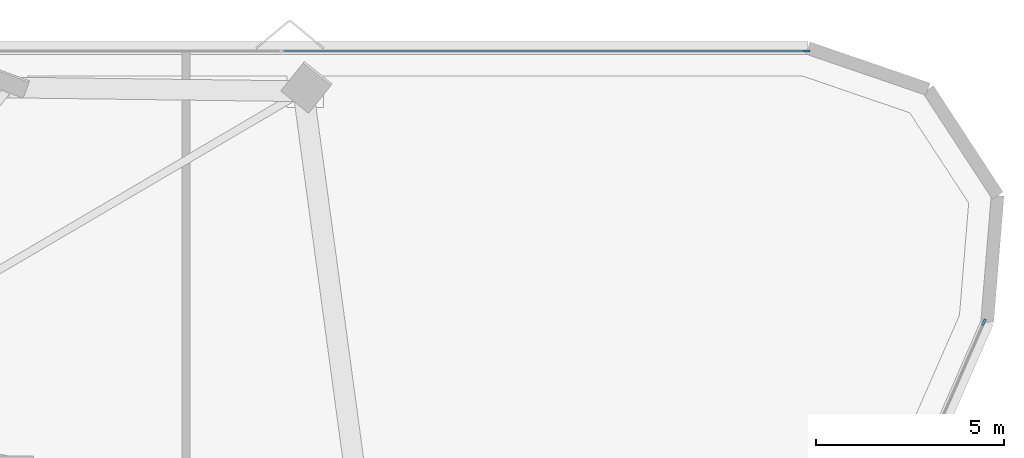
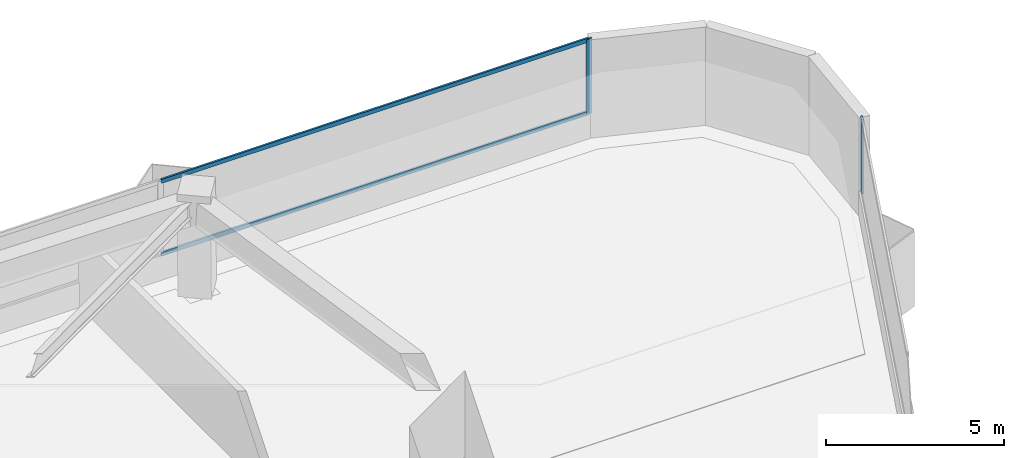
# One storey, part 14 of 21: 4 members, 2 elements without a shape of their own.
"""IFC4 building model written with IfcOpenShell, lengths in metres."""

from ifc_helpers import new_model, si_unit, direction, frame, origin, origin_2d, place, context, subcontext, project, spatial, rectangle, extrude, material, layer, layer_set, material_profile, profile_set, type_object, element, aggregate, save


model = new_model("IFC4")

# Units and contexts
model_context = context("Model", 3, precision=1e-05, world=origin(), true_north=direction((0.0, 1.0)))
body_context = subcontext(model_context, "Body", "Model", "MODEL_VIEW")
ifc_project = project(units=[si_unit("LENGTHUNIT", "METRE"), si_unit("AREAUNIT", "SQUARE_METRE"), si_unit("VOLUMEUNIT", "CUBIC_METRE"), si_unit("PLANEANGLEUNIT", "RADIAN"), si_unit("MASSUNIT", "GRAM", prefix="KILO")], contexts=[model_context])

# Site, building, storey
site_placement = place(None, origin())
site = spatial("IfcSite", under=ifc_project, at=site_placement, CompositionType="ELEMENT")
building_placement = place(site_placement, origin())
building = spatial("IfcBuilding", under=site, at=building_placement, Name="Talyreon Biosciences Tower", CompositionType="ELEMENT")
storey_placement = place(building_placement, frame((0.0, 0.0, 55.64990234375)))
storey = spatial("IfcBuildingStorey", under=building, at=storey_placement, Name="L14", CompositionType="ELEMENT", Elevation=55.64990234375)

# Curtain wall, member
ifc_material_1 = material(Name="Thermally broken aluminium and low-E glazing", Category="aluminium")
ifc_layer = layer(ifc_material_1, 0.195068359375)
ifc_layer_set = layer_set([ifc_layer], Name="Thermally broken aluminium and low-E glazing")
curtain_wall_type = type_object("IfcCurtainWallType", Name="CurtainWall_Zone1WetLab", PredefinedType="NOTDEFINED", material=ifc_layer_set)
curtain_wall_1_placement = place(storey_placement, origin())
curtain_wall_1 = element("IfcCurtainWall", 1, at=curtain_wall_1_placement, inside=storey, type_object=curtain_wall_type, Name="L14 Unitised Curtain Wall FCW-L14-04", PredefinedType="NOTDEFINED")
ifc_material_2 = material(Name="Anodised thermally broken aluminium", Category="aluminium")
ifc_material_profile_1 = material_profile(ifc_material_2, rectangle(XDim=0.06494140625, YDim=0.179931640625, at=origin_2d()), Name="ALUM MULLION 65x180")
ifc_profile_set_1 = profile_set([ifc_material_profile_1], Name="Anodised thermally broken aluminium")
member_type_1 = type_object("IfcMemberType", Name="CWMullion_65x180", PredefinedType="MULLION", material=ifc_profile_set_1)
member_1_placement = place(storey_placement, frame((93.8828125, 91.373779296875, 0.81005859375), z_axis=(0.0, 0.0, 1.0), x_axis=(0.0, 1.0, 0.0)))
member_1 = element("IfcMember", 2, at=member_1_placement, type_object=member_type_1, Name="CW2 mullion 5", PredefinedType="MULLION", context=body_context, shape_type="SweptSolid", body=[
    extrude(rectangle(XDim=0.06494140625, YDim=0.179931640625, at=origin_2d()), origin(), (0.0, 0.0, 1.0), 2.56494140625),
])

curtain_wall_2_placement = place(storey_placement, origin())
curtain_wall_2 = element("IfcCurtainWall", 3, at=curtain_wall_2_placement, inside=storey, type_object=curtain_wall_type, Name="L14 Unitised Curtain Wall FCW-L14-08", PredefinedType="NOTDEFINED")
member_2_placement = place(storey_placement, frame((98.5927734375, 84.171142578125, 0.81005859375), z_axis=(0.0, 0.0, 1.0), x_axis=(0.916092182361, -0.400967721165, 0.0)))
member_2 = element("IfcMember", 4, at=member_2_placement, type_object=member_type_1, Name="CW2 mullion 1", PredefinedType="MULLION", context=body_context, shape_type="SweptSolid", body=[
    extrude(rectangle(XDim=0.06494140625, YDim=0.179931640625, at=origin_2d()), origin(), (0.0, 0.0, 1.0), 2.56494140625),
])
aggregate(curtain_wall_2, [member_2])

# Member
ifc_material_profile_2 = material_profile(ifc_material_2, rectangle(XDim=0.06494140625, YDim=0.139892578125, at=origin_2d()), Name="ALUM TRANSOM 65x140")
ifc_profile_set_2 = profile_set([ifc_material_profile_2], Name="Anodised thermally broken aluminium")
member_type_2 = type_object("IfcMemberType", Name="CWTransom_65x140", PredefinedType="USERDEFINED", material=ifc_profile_set_2)
member_3_placement = place(storey_placement, frame((79.990234375, 91.373779296875, 0.842529296875), z_axis=(1.0, 0.0, 0.0), x_axis=(0.0, 1.0, 0.0)))
member_3 = element("IfcMember", 5, at=member_3_placement, type_object=member_type_2, Name="CW2 transom 4.1", ObjectType="TRANSOM", PredefinedType="USERDEFINED", context=body_context, shape_type="SweptSolid", body=[
    extrude(rectangle(XDim=0.06494140625, YDim=0.139892578125, at=origin_2d()), origin(), (0.0, 0.0, 1.0), 13.860107421875),
])

member_4_placement = place(storey_placement, frame((79.990234375, 91.373779296875, 3.342529296875), z_axis=(1.0, 0.0, 0.0), x_axis=(0.0, 1.0, 0.0)))
member_4 = element("IfcMember", 6, at=member_4_placement, type_object=member_type_2, Name="CW2 transom 4.2", ObjectType="TRANSOM", PredefinedType="USERDEFINED", context=body_context, shape_type="SweptSolid", body=[
    extrude(rectangle(XDim=0.06494140625, YDim=0.139892578125, at=origin_2d()), origin(), (0.0, 0.0, 1.0), 13.860107421875),
])

aggregate(curtain_wall_1, [member_1, member_3, member_4])

save(model, "model.ifc")
